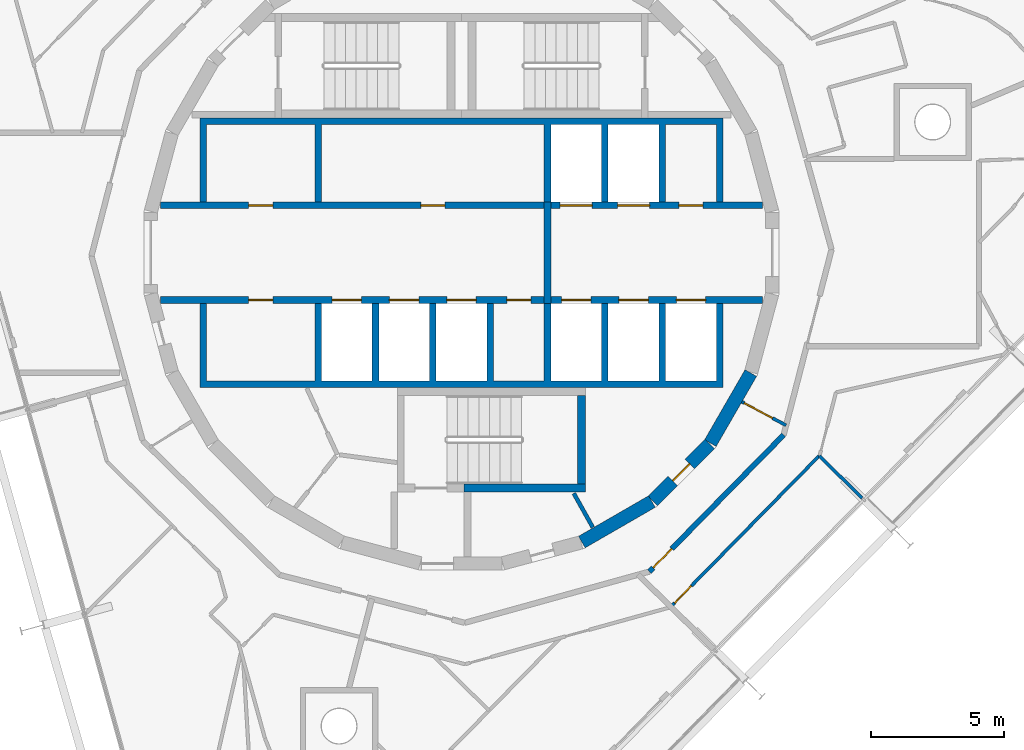
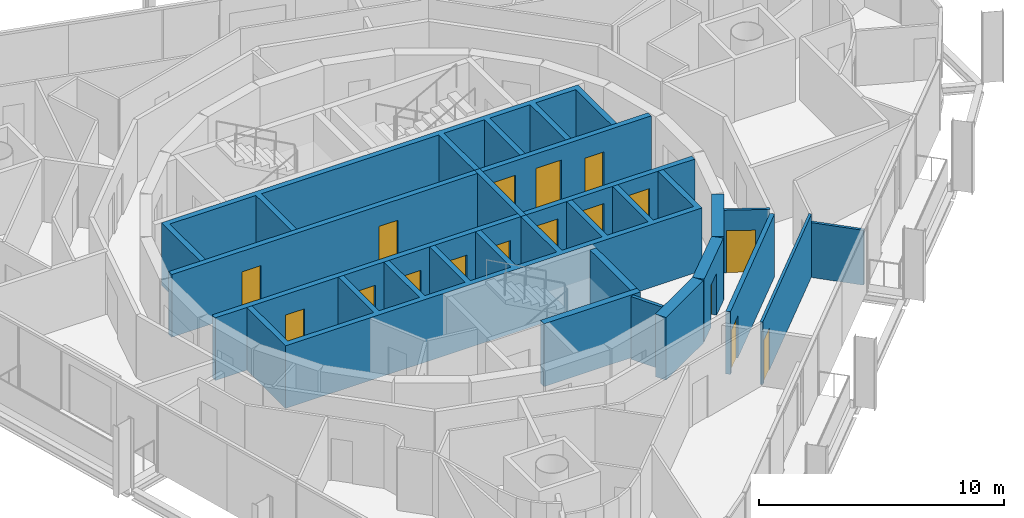
# One storey, part 11 of 15: 17 doors, 17 walls, 17 openings.
"""IFC4 building model written with IfcOpenShell, lengths in metres."""

from ifc_helpers import new_model, si_unit, direction, frame, frame_2d, origin, place, context, subcontext, project, spatial, polyline, rectangle, outline, extrude, material, layer, layer_set, type_object, element, fill, save


model = new_model("IFC4")

# Units and contexts
model_context = context("Model", 3, precision=1e-05, world=origin(), true_north=direction((0.0, 1.0)))
body_context = subcontext(model_context, "Body", "Model", "MODEL_VIEW")
ifc_project = project(units=[si_unit("LENGTHUNIT", "METRE"), si_unit("AREAUNIT", "SQUARE_METRE"), si_unit("VOLUMEUNIT", "CUBIC_METRE"), si_unit("PLANEANGLEUNIT", "RADIAN"), si_unit("MASSUNIT", "GRAM", prefix="KILO")], contexts=[model_context])

# Site, building, storey
site_placement = place(None, origin())
site = spatial("IfcSite", under=ifc_project, at=site_placement, CompositionType="ELEMENT")
building_placement = place(site_placement, origin())
building = spatial("IfcBuilding", under=site, at=building_placement, Name="Spindle Arch Residences", CompositionType="ELEMENT")
storey_placement = place(building_placement, frame((0.0, 0.0, 319.199951171875)))
storey = spatial("IfcBuildingStorey", under=building, at=storey_placement, Name="L82", CompositionType="ELEMENT", Elevation=319.199951171875)

# Wall
ifc_material_1 = material(Name="Concrete C50/60", Category="concrete")
ifc_layer_1 = layer(ifc_material_1, 0.5)
ifc_layer_set_1 = layer_set([ifc_layer_1], Name="Core outline wall 500")
wall_type_1 = type_object("IfcWallType", Name="Core outline wall 500", PredefinedType="SHEAR", material=ifc_layer_set_1)
wall_1_placement = place(storey_placement, frame((4.510498046875, -10.84521484375, 0.0), z_axis=(0.0, 0.0, 1.0), x_axis=(0.865975092491, 0.500087131594, 0.0)))
element("IfcWall", 1, at=wall_1_placement, inside=storey, type_object=wall_type_1, Name="Core outline wall 2", PredefinedType="SHEAR", context=body_context, shape_type="SweptSolid", body=[
    extrude(rectangle(XDim=3.03271484375, YDim=0.5, at=frame_2d((1.516357421875, 0.0))), origin(), (0.0, 0.0, 1.0), 3.1201171875),
])

# Wall, opening, door
wall_2_placement = place(storey_placement, frame((7.163818359375, -9.30810546875, 0.0), z_axis=(0.0, 0.0, 1.0), x_axis=(0.707106781187, 0.707106781187, 0.0)))
wall_2 = element("IfcWall", 2, at=wall_2_placement, inside=storey, type_object=wall_type_1, Name="Core outline wall 3", PredefinedType="SHEAR", context=body_context, shape_type="SweptSolid", body=[
    extrude(rectangle(XDim=3.032470703125, YDim=0.5, at=frame_2d((1.51611328125, 0.0))), origin(), (0.0, 0.0, 1.0), 3.1201171875),
])
opening_1_placement = place(wall_2_placement, frame((1.06640625, 0.0, 0.0)))
opening_1 = element("IfcOpeningElement", 3, at=opening_1_placement, cuts=wall_2, Name="Opening R8C0-WD08", PredefinedType="OPENING", context=body_context, shape_type="SweptSolid", body=[
    extrude(rectangle(XDim=0.89990234375, YDim=2.10009765625, at=frame_2d((0.449951171875, 1.050048828125))), frame((0.0, 0.260009765625, 0.0), z_axis=(0.0, -1.0, 0.0), x_axis=(1.0, 0.0, 0.0)), (0.0, 0.0, 1.0), 0.52001953125),
])
ifc_material_2 = material(Name="Steel, fire-resisting door", Category="steel")
door_type_1 = type_object("IfcDoorType", Name="Service room door 900x2100", OperationType="SINGLE_SWING_LEFT", PredefinedType="DOOR", material=ifc_material_2)
door_1_placement = place(opening_1_placement, origin())
door_1 = element("IfcDoor", 4, at=door_1_placement, inside=storey, type_object=door_type_1, Name="Service room door R8C0-WD08", OperationType="SINGLE_SWING_RIGHT", OverallHeight=2.10009765625, OverallWidth=0.89990234375, PredefinedType="DOOR", context=body_context, shape_type="SweptSolid", body=[
    extrude(rectangle(XDim=0.89990234375, YDim=2.10009765625, at=frame_2d((0.449951171875, 1.050048828125))), frame((0.0, 0.02490234375, 0.0), z_axis=(0.0, -1.0, 0.0), x_axis=(1.0, 0.0, 0.0)), (0.0, 0.0, 1.0), 0.050048828125),
])
fill(opening_1, door_1)

# Wall
wall_3_placement = place(storey_placement, frame((9.32861328125, -7.13671875, 0.0), z_axis=(0.0, 0.0, 1.0), x_axis=(0.500087131594, 0.865975092491, 0.0)))
element("IfcWall", 5, at=wall_3_placement, inside=storey, type_object=wall_type_1, Name="Core outline wall 4", PredefinedType="SHEAR", context=body_context, shape_type="SweptSolid", body=[
    extrude(rectangle(XDim=3.03271484375, YDim=0.5, at=frame_2d((1.516357421875, 0.0))), origin(), (0.0, 0.0, 1.0), 3.1201171875),
])

# Wall, opening, door
ifc_material_3 = material(Name="Plasterboard on steel studs", Category="steel")
ifc_layer_2 = layer(ifc_material_3, 0.1201171875)
ifc_layer_set_2 = layer_set([ifc_layer_2], Name="Corridor division wall 120")
wall_type_2 = type_object("IfcWallType", Name="Corridor division wall 120", PredefinedType="PARTITIONING", material=ifc_layer_set_2)
wall_4_placement = place(storey_placement, frame((10.510986328125, -5.5888671875, 0.0), z_axis=(0.0, 0.0, 1.0), x_axis=(0.882957311919, -0.469453283437, 0.0)))
wall_4 = element("IfcWall", 6, at=wall_4_placement, inside=storey, type_object=wall_type_2, Name="Corridor division wall R8C0-W002", PredefinedType="PARTITIONING", context=body_context, shape_type="SweptSolid", body=[
    extrude(rectangle(XDim=1.87646484375, YDim=0.1201171875, at=frame_2d((0.938232421875, 0.0))), origin(), (0.0, 0.0, 1.0), 3.1201171875),
])
opening_2_placement = place(wall_4_placement, frame((0.10009765625, 0.0, 0.0)))
opening_2 = element("IfcOpeningElement", 7, at=opening_2_placement, cuts=wall_4, Name="Opening R8C0-CD02", PredefinedType="OPENING", context=body_context, shape_type="SweptSolid", body=[
    extrude(rectangle(XDim=1.199951171875, YDim=2.10009765625, at=frame_2d((0.60009765625, 1.050048828125))), frame((0.0, 0.070068359375, 0.0), z_axis=(0.0, -1.0, 0.0), x_axis=(1.0, 0.0, 0.0)), (0.0, 0.0, 1.0), 0.14013671875),
])
ifc_material_4 = material(Name="Steel, fire-resisting door", Category="steel")
door_type_2 = type_object("IfcDoorType", Name="Corridor division door 1200x2100", OperationType="NOTDEFINED", PredefinedType="DOOR", material=ifc_material_4)
door_2_placement = place(opening_2_placement, origin())
door_2 = element("IfcDoor", 8, at=door_2_placement, inside=storey, type_object=door_type_2, Name="Corridor division door R8C0-CD02", OperationType="DOUBLE_DOOR_SINGLE_SWING", OverallHeight=2.10009765625, OverallWidth=1.199951171875, PredefinedType="DOOR", context=body_context, shape_type="SweptSolid", body=[
    extrude(rectangle(XDim=1.199951171875, YDim=2.10009765625, at=frame_2d((0.60009765625, 1.050048828125))), frame((0.0, 0.02490234375, 0.0), z_axis=(0.0, -1.0, 0.0), x_axis=(1.0, 0.0, 0.0)), (0.0, 0.0, 1.0), 0.050048828125),
])
fill(opening_2, door_2)

ifc_material_5 = material(Name="Calcium silicate block, plastered")
ifc_layer_3 = layer(ifc_material_5, 0.199951171875)
ifc_layer_set_3 = layer_set([ifc_layer_3], Name="Corridor wall 200")
wall_type_3 = type_object("IfcWallType", Name="Corridor wall 200", PredefinedType="STANDARD", material=ifc_layer_set_3)
wall_5_placement = place(storey_placement, frame((7.041015625, -11.953125, 0.0), z_axis=(0.0, 0.0, 1.0), x_axis=(0.70090916255, 0.713250549143, 0.0)))
wall_5 = element("IfcWall", 9, at=wall_5_placement, inside=storey, type_object=wall_type_3, Name="Corridor wall R8C0-W016", PredefinedType="STANDARD", context=body_context, shape_type="SweptSolid", body=[
    extrude(rectangle(XDim=7.180908203125, YDim=0.199951171875, at=frame_2d((3.59033203125, 0.0))), origin(), (0.0, 0.0, 1.0), 3.1201171875),
])
opening_3_placement = place(wall_5_placement, frame((0.199951171875, 0.0, 0.0)))
opening_3 = element("IfcOpeningElement", 10, at=opening_3_placement, cuts=wall_5, Name="Opening R8C0-FD06", PredefinedType="OPENING", context=body_context, shape_type="SweptSolid", body=[
    extrude(rectangle(XDim=1.0, YDim=2.10009765625, at=frame_2d((0.5, 1.050048828125))), frame((0.0, 0.10986328125, 0.0), z_axis=(0.0, -1.0, 0.0), x_axis=(1.0, 0.0, 0.0)), (0.0, 0.0, 1.0), 0.219970703125),
])
ifc_material_6 = material(Name="Timber, fire-resisting door set", Category="wood")
door_type_3 = type_object("IfcDoorType", Name="Flat entrance door 1000x2100", OperationType="NOTDEFINED", PredefinedType="DOOR", material=ifc_material_6)
door_3_placement = place(opening_3_placement, origin())
door_3 = element("IfcDoor", 11, at=door_3_placement, inside=storey, type_object=door_type_3, Name="Flat entrance door R8C0-FD06", OperationType="SINGLE_SWING_LEFT", OverallHeight=2.10009765625, OverallWidth=1.0, PredefinedType="DOOR", context=body_context, shape_type="SweptSolid", body=[
    extrude(rectangle(XDim=1.0, YDim=2.10009765625, at=frame_2d((0.5, 1.050048828125))), frame((0.0, 0.02490234375, 0.0), z_axis=(0.0, -1.0, 0.0), x_axis=(1.0, 0.0, 0.0)), (0.0, 0.0, 1.0), 0.050048828125),
])
fill(opening_3, door_3)

# Wall, openings, doors
ifc_material_7 = material(Name="Concrete C40/50", Category="concrete")
ifc_layer_4 = layer(ifc_material_7, 0.25)
ifc_layer_set_4 = layer_set([ifc_layer_4], Name="Fire-lift lobby wall 250")
wall_type_4 = type_object("IfcWallType", Name="Fire-lift lobby wall 250", PredefinedType="SHEAR", material=ifc_layer_set_4)
wall_6_placement = place(storey_placement, frame((3.35009765625, 1.77490234375, 0.0), z_axis=(0.0, 0.0, 1.0), x_axis=(1.0, 0.0, 0.0)))
wall_6 = element("IfcWall", 12, at=wall_6_placement, inside=storey, type_object=wall_type_4, Name="Lift shaft front wall NE", PredefinedType="SHEAR", context=body_context, shape_type="SweptSolid", body=[
    extrude(rectangle(XDim=7.929931640625, YDim=0.25, at=frame_2d((3.96484375, 0.0))), origin(), (0.0, 0.0, 1.0), 3.1201171875),
])
opening_4_placement = place(wall_6_placement, frame((0.35009765625, 0.0, 0.0)))
opening_4 = element("IfcOpeningElement", 13, at=opening_4_placement, cuts=wall_6, Name="Opening R8C0-SLD01", PredefinedType="OPENING", context=body_context, shape_type="SweptSolid", body=[
    extrude(rectangle(XDim=1.199951171875, YDim=2.39990234375, at=frame_2d((0.60009765625, 1.199951171875))), frame((0.0, 0.135009765625, 0.0), z_axis=(0.0, -1.0, 0.0), x_axis=(1.0, 0.0, 0.0)), (0.0, 0.0, 1.0), 0.27001953125),
])
opening_5_placement = place(wall_6_placement, frame((2.5, 0.0, 0.0)))
opening_5 = element("IfcOpeningElement", 14, at=opening_5_placement, cuts=wall_6, Name="Opening R8C0-SLD02", PredefinedType="OPENING", context=body_context, shape_type="SweptSolid", body=[
    extrude(rectangle(XDim=1.199951171875, YDim=2.39990234375, at=frame_2d((0.60009765625, 1.199951171875))), frame((0.0, 0.135009765625, 0.0), z_axis=(0.0, -1.0, 0.0), x_axis=(1.0, 0.0, 0.0)), (0.0, 0.0, 1.0), 0.27001953125),
])
opening_6_placement = place(wall_6_placement, frame((4.800048828125, 0.0, 0.0)))
opening_6 = element("IfcOpeningElement", 15, at=opening_6_placement, cuts=wall_6, Name="Opening R8C0-WD03", PredefinedType="OPENING", context=body_context, shape_type="SweptSolid", body=[
    extrude(rectangle(XDim=0.89990234375, YDim=2.10009765625, at=frame_2d((0.449951171875, 1.050048828125))), frame((0.0, 0.135009765625, 0.0), z_axis=(0.0, -1.0, 0.0), x_axis=(1.0, 0.0, 0.0)), (0.0, 0.0, 1.0), 0.27001953125),
])
ifc_material_8 = material(Name="Steel, fire-resisting landing door", Category="steel")
door_type_4 = type_object("IfcDoorType", Name="Service lift landing door 1200x2400", OperationType="DOUBLE_DOOR_SLIDING", PredefinedType="DOOR", material=ifc_material_8)
door_4_placement = place(opening_4_placement, origin())
door_4 = element("IfcDoor", 16, at=door_4_placement, inside=storey, type_object=door_type_4, Name="Service lift landing door R8C0-SLD01", OperationType="DOUBLE_DOOR_SLIDING", OverallHeight=2.39990234375, OverallWidth=1.199951171875, PredefinedType="DOOR", context=body_context, shape_type="SweptSolid", body=[
    extrude(rectangle(XDim=1.199951171875, YDim=2.39990234375, at=frame_2d((0.60009765625, 1.199951171875))), frame((0.0, 0.02490234375, 0.0), z_axis=(0.0, -1.0, 0.0), x_axis=(1.0, 0.0, 0.0)), (0.0, 0.0, 1.0), 0.050048828125),
])
fill(opening_4, door_4)
door_5_placement = place(opening_5_placement, origin())
door_5 = element("IfcDoor", 17, at=door_5_placement, inside=storey, type_object=door_type_4, Name="Service lift landing door R8C0-SLD02", OperationType="DOUBLE_DOOR_SLIDING", OverallHeight=2.39990234375, OverallWidth=1.199951171875, PredefinedType="DOOR", context=body_context, shape_type="SweptSolid", body=[
    extrude(rectangle(XDim=1.199951171875, YDim=2.39990234375, at=frame_2d((0.60009765625, 1.199951171875))), frame((0.0, 0.02490234375, 0.0), z_axis=(0.0, -1.0, 0.0), x_axis=(1.0, 0.0, 0.0)), (0.0, 0.0, 1.0), 0.050048828125),
])
fill(opening_5, door_5)
door_6_placement = place(opening_6_placement, origin())
door_6 = element("IfcDoor", 18, at=door_6_placement, inside=storey, type_object=door_type_1, Name="Service room door R8C0-WD03", OperationType="SINGLE_SWING_LEFT", OverallHeight=2.10009765625, OverallWidth=0.89990234375, PredefinedType="DOOR", context=body_context, shape_type="SweptSolid", body=[
    extrude(rectangle(XDim=0.89990234375, YDim=2.10009765625, at=frame_2d((0.449951171875, 1.050048828125))), frame((0.0, 0.02490234375, 0.0), z_axis=(0.0, -1.0, 0.0), x_axis=(1.0, 0.0, 0.0)), (0.0, 0.0, 1.0), 0.050048828125),
])
fill(opening_6, door_6)

# Wall
wall_7_placement = place(storey_placement, frame((3.22509765625, -1.89990234375, 0.0), z_axis=(0.0, 0.0, 1.0), x_axis=(0.0, 1.0, 0.0)))
element("IfcWall", 19, at=wall_7_placement, inside=storey, type_object=wall_type_4, Name="Fire-fighting lobby partition", PredefinedType="SHEAR", context=body_context, shape_type="SweptSolid", body=[
    extrude(rectangle(XDim=3.7998046875, YDim=0.25, at=frame_2d((1.89990234375, 0.0))), origin(), (0.0, 0.0, 1.0), 3.1201171875),
])

# Wall, openings, doors
ifc_material_9 = material(Name="Concrete C50/60", Category="concrete")
ifc_layer_5 = layer(ifc_material_9, 0.25)
ifc_layer_set_5 = layer_set([ifc_layer_5], Name="Fire-lift shaft wall 250")
wall_type_5 = type_object("IfcWallType", Name="Fire-lift shaft wall 250", PredefinedType="SHEAR", material=ifc_layer_set_5)
wall_8_placement = place(storey_placement, frame((3.35009765625, -1.77490234375, 0.0), z_axis=(0.0, 0.0, 1.0), x_axis=(1.0, 0.0, 0.0)))
wall_8 = element("IfcWall", 20, at=wall_8_placement, inside=storey, type_object=wall_type_5, Name="Lift shaft front wall SE", PredefinedType="SHEAR", context=body_context, shape_type="SweptSolid", body=[
    extrude(rectangle(XDim=7.929931640625, YDim=0.25, at=frame_2d((3.96484375, 0.0))), origin(), (0.0, 0.0, 1.0), 3.1201171875),
])
opening_7_placement = place(wall_8_placement, frame((0.39990234375, 0.0, 0.0)))
opening_7 = element("IfcOpeningElement", 21, at=opening_7_placement, cuts=wall_8, Name="Opening R8C0-FLD01", PredefinedType="OPENING", context=body_context, shape_type="SweptSolid", body=[
    extrude(rectangle(XDim=1.10009765625, YDim=2.39990234375, at=frame_2d((0.550048828125, 1.199951171875))), frame((0.0, 0.135009765625, 0.0), z_axis=(0.0, -1.0, 0.0), x_axis=(1.0, 0.0, 0.0)), (0.0, 0.0, 1.0), 0.27001953125),
])
opening_8_placement = place(wall_8_placement, frame((2.550048828125, 0.0, 0.0)))
opening_8 = element("IfcOpeningElement", 22, at=opening_8_placement, cuts=wall_8, Name="Opening R8C0-FLD02", PredefinedType="OPENING", context=body_context, shape_type="SweptSolid", body=[
    extrude(rectangle(XDim=1.10009765625, YDim=2.39990234375, at=frame_2d((0.550048828125, 1.199951171875))), frame((0.0, 0.135009765625, 0.0), z_axis=(0.0, -1.0, 0.0), x_axis=(1.0, 0.0, 0.0)), (0.0, 0.0, 1.0), 0.27001953125),
])
opening_9_placement = place(wall_8_placement, frame((4.699951171875, 0.0, 0.0)))
opening_9 = element("IfcOpeningElement", 23, at=opening_9_placement, cuts=wall_8, Name="Opening R8C0-FLD03", PredefinedType="OPENING", context=body_context, shape_type="SweptSolid", body=[
    extrude(rectangle(XDim=1.10009765625, YDim=2.39990234375, at=frame_2d((0.550048828125, 1.199951171875))), frame((0.0, 0.135009765625, 0.0), z_axis=(0.0, -1.0, 0.0), x_axis=(1.0, 0.0, 0.0)), (0.0, 0.0, 1.0), 0.27001953125),
])
ifc_material_10 = material(Name="Steel, fire-resisting landing door", Category="steel")
door_type_5 = type_object("IfcDoorType", Name="Fire-fighting lift landing door 1100x2400", OperationType="DOUBLE_DOOR_SLIDING", PredefinedType="DOOR", material=ifc_material_10)
door_7_placement = place(opening_7_placement, origin())
door_7 = element("IfcDoor", 24, at=door_7_placement, inside=storey, type_object=door_type_5, Name="Fire-fighting lift landing door R8C0-FLD01", OperationType="DOUBLE_DOOR_SLIDING", OverallHeight=2.39990234375, OverallWidth=1.10009765625, PredefinedType="DOOR", context=body_context, shape_type="SweptSolid", body=[
    extrude(rectangle(XDim=1.10009765625, YDim=2.39990234375, at=frame_2d((0.550048828125, 1.199951171875))), frame((0.0, 0.02490234375, 0.0), z_axis=(0.0, -1.0, 0.0), x_axis=(1.0, 0.0, 0.0)), (0.0, 0.0, 1.0), 0.050048828125),
])
fill(opening_7, door_7)
door_8_placement = place(opening_8_placement, origin())
door_8 = element("IfcDoor", 25, at=door_8_placement, inside=storey, type_object=door_type_5, Name="Fire-fighting lift landing door R8C0-FLD02", OperationType="DOUBLE_DOOR_SLIDING", OverallHeight=2.39990234375, OverallWidth=1.10009765625, PredefinedType="DOOR", context=body_context, shape_type="SweptSolid", body=[
    extrude(rectangle(XDim=1.10009765625, YDim=2.39990234375, at=frame_2d((0.550048828125, 1.199951171875))), frame((0.0, 0.02490234375, 0.0), z_axis=(0.0, -1.0, 0.0), x_axis=(1.0, 0.0, 0.0)), (0.0, 0.0, 1.0), 0.050048828125),
])
fill(opening_8, door_8)
door_9_placement = place(opening_9_placement, origin())
door_9 = element("IfcDoor", 26, at=door_9_placement, inside=storey, type_object=door_type_5, Name="Fire-fighting lift landing door R8C0-FLD03", OperationType="DOUBLE_DOOR_SLIDING", OverallHeight=2.39990234375, OverallWidth=1.10009765625, PredefinedType="DOOR", context=body_context, shape_type="SweptSolid", body=[
    extrude(rectangle(XDim=1.10009765625, YDim=2.39990234375, at=frame_2d((0.550048828125, 1.199951171875))), frame((0.0, 0.02490234375, 0.0), z_axis=(0.0, -1.0, 0.0), x_axis=(1.0, 0.0, 0.0)), (0.0, 0.0, 1.0), 0.050048828125),
])
fill(opening_9, door_9)

# Wall, opening, door
ifc_material_11 = material(Name="Plasterboard on steel studs", Category="steel")
ifc_layer_6 = layer(ifc_material_11, 0.1201171875)
ifc_layer_set_6 = layer_set([ifc_layer_6], Name="Flat partition 120")
wall_type_6 = type_object("IfcWallType", Name="Flat partition 120", PredefinedType="PARTITIONING", material=ifc_layer_set_6)
wall_9_placement = place(storey_placement, frame((7.846435546875, -13.2734375, 0.0), z_axis=(0.0, 0.0, 1.0), x_axis=(0.700911018066, 0.713248725728, 0.0)))
wall_9 = element("IfcWall", 27, at=wall_9_placement, inside=storey, type_object=wall_type_6, Name="Flat partition R8C0-W093", PredefinedType="PARTITIONING", context=body_context, shape_type="SweptSolid", body=[
    extrude(rectangle(XDim=7.93505859375, YDim=0.1201171875, at=frame_2d((3.967529296875, 0.0))), origin(), (0.0, 0.0, 1.0), 3.1201171875),
])
opening_10_placement = place(wall_9_placement, frame((0.199951171875, 0.0, 0.0)))
opening_10 = element("IfcOpeningElement", 28, at=opening_10_placement, cuts=wall_9, Name="Opening R8C0-ID22", PredefinedType="OPENING", context=body_context, shape_type="SweptSolid", body=[
    extrude(rectangle(XDim=0.89990234375, YDim=2.10009765625, at=frame_2d((0.449951171875, 1.050048828125))), frame((0.0, 0.070068359375, 0.0), z_axis=(0.0, -1.0, 0.0), x_axis=(1.0, 0.0, 0.0)), (0.0, 0.0, 1.0), 0.14013671875),
])
ifc_material_12 = material(Name="Timber door set", Category="wood")
door_type_6 = type_object("IfcDoorType", Name="Room door 900x2100", OperationType="NOTDEFINED", PredefinedType="DOOR", material=ifc_material_12)
door_10_placement = place(opening_10_placement, origin())
door_10 = element("IfcDoor", 29, at=door_10_placement, inside=storey, type_object=door_type_6, Name="Room door R8C0-ID22", OperationType="SINGLE_SWING_LEFT", OverallHeight=2.10009765625, OverallWidth=0.89990234375, PredefinedType="DOOR", context=body_context, shape_type="SweptSolid", body=[
    extrude(rectangle(XDim=0.89990234375, YDim=2.10009765625, at=frame_2d((0.449951171875, 1.050048828125))), frame((0.0, 0.02490234375, 0.0), z_axis=(0.0, -1.0, 0.0), x_axis=(1.0, 0.0, 0.0)), (0.0, 0.0, 1.0), 0.050048828125),
])
fill(opening_10, door_10)

# Wall
ifc_material_13 = material(Name="Plasterboard on steel studs", Category="steel")
ifc_layer_7 = layer(ifc_material_13, 0.1201171875)
ifc_layer_set_7 = layer_set([ifc_layer_7], Name="Flat partition 120 under beam 2730")
wall_type_7 = type_object("IfcWallType", Name="Flat partition 120 under beam 2730", PredefinedType="PARTITIONING", material=ifc_layer_set_7)
wall_10_placement = place(storey_placement, frame((15.023681640625, -9.200927734375, 0.0), z_axis=(0.0, 0.0, 1.0), x_axis=(-0.713331704042, 0.700826569137, 0.0)))
element("IfcWall", 30, at=wall_10_placement, inside=storey, type_object=wall_type_7, Name="Flat partition R8C0-W105", PredefinedType="PARTITIONING", context=body_context, shape_type="SweptSolid", body=[
    extrude(rectangle(XDim=2.2646484375, YDim=0.1201171875, at=frame_2d((1.13232421875, 0.0))), origin(), (0.0, 0.0, 1.0), 2.72998046875),
])

# Wall, openings, doors
ifc_material_14 = material(Name="Concrete C50/60", Category="concrete")
ifc_layer_8 = layer(ifc_material_14, 0.25)
ifc_layer_set_8 = layer_set([ifc_layer_8], Name="Lift shaft wall 250")
wall_type_8 = type_object("IfcWallType", Name="Lift shaft wall 250", PredefinedType="SHEAR", material=ifc_layer_set_8)
wall_11_placement = place(storey_placement, frame((-11.280029296875, 1.77490234375, 0.0), z_axis=(0.0, 0.0, 1.0), x_axis=(1.0, 0.0, 0.0)))
wall_11 = element("IfcWall", 31, at=wall_11_placement, inside=storey, type_object=wall_type_8, Name="Lift shaft front wall NW", PredefinedType="SHEAR", context=body_context, shape_type="SweptSolid", body=[
    extrude(rectangle(XDim=14.380126953125, YDim=0.25, at=frame_2d((7.18994140625, 0.0))), origin(), (0.0, 0.0, 1.0), 3.1201171875),
])
opening_11_placement = place(wall_11_placement, frame((3.304931640625, 0.0, 0.0)))
opening_11 = element("IfcOpeningElement", 32, at=opening_11_placement, cuts=wall_11, Name="Opening R8C0-WD01", PredefinedType="OPENING", context=body_context, shape_type="SweptSolid", body=[
    extrude(rectangle(XDim=0.89990234375, YDim=2.10009765625, at=frame_2d((0.449951171875, 1.050048828125))), frame((0.0, 0.135009765625, 0.0), z_axis=(0.0, -1.0, 0.0), x_axis=(1.0, 0.0, 0.0)), (0.0, 0.0, 1.0), 0.27001953125),
])
opening_12_placement = place(wall_11_placement, frame((9.7548828125, 0.0, 0.0)))
opening_12 = element("IfcOpeningElement", 33, at=opening_12_placement, cuts=wall_11, Name="Opening R8C0-WD02", PredefinedType="OPENING", context=body_context, shape_type="SweptSolid", body=[
    extrude(rectangle(XDim=0.89990234375, YDim=2.10009765625, at=frame_2d((0.449951171875, 1.050048828125))), frame((0.0, 0.135009765625, 0.0), z_axis=(0.0, -1.0, 0.0), x_axis=(1.0, 0.0, 0.0)), (0.0, 0.0, 1.0), 0.27001953125),
])
door_11_placement = place(opening_11_placement, origin())
door_11 = element("IfcDoor", 34, at=door_11_placement, inside=storey, type_object=door_type_1, Name="Service room door R8C0-WD01", OperationType="SINGLE_SWING_LEFT", OverallHeight=2.10009765625, OverallWidth=0.89990234375, PredefinedType="DOOR", context=body_context, shape_type="SweptSolid", body=[
    extrude(rectangle(XDim=0.89990234375, YDim=2.10009765625, at=frame_2d((0.449951171875, 1.050048828125))), frame((0.0, 0.02490234375, 0.0), z_axis=(0.0, -1.0, 0.0), x_axis=(1.0, 0.0, 0.0)), (0.0, 0.0, 1.0), 0.050048828125),
])
fill(opening_11, door_11)
door_12_placement = place(opening_12_placement, origin())
door_12 = element("IfcDoor", 35, at=door_12_placement, inside=storey, type_object=door_type_1, Name="Service room door R8C0-WD02", OperationType="SINGLE_SWING_RIGHT", OverallHeight=2.10009765625, OverallWidth=0.89990234375, PredefinedType="DOOR", context=body_context, shape_type="SweptSolid", body=[
    extrude(rectangle(XDim=0.89990234375, YDim=2.10009765625, at=frame_2d((0.449951171875, 1.050048828125))), frame((0.0, 0.02490234375, 0.0), z_axis=(0.0, -1.0, 0.0), x_axis=(1.0, 0.0, 0.0)), (0.0, 0.0, 1.0), 0.050048828125),
])
fill(opening_12, door_12)

wall_12_placement = place(storey_placement, frame((-11.280029296875, -1.77490234375, 0.0), z_axis=(0.0, 0.0, 1.0), x_axis=(1.0, 0.0, 0.0)))
wall_12 = element("IfcWall", 36, at=wall_12_placement, inside=storey, type_object=wall_type_8, Name="Lift shaft front wall SW", PredefinedType="SHEAR", context=body_context, shape_type="SweptSolid", body=[
    extrude(rectangle(XDim=14.380126953125, YDim=0.25, at=frame_2d((7.18994140625, 0.0))), origin(), (0.0, 0.0, 1.0), 3.1201171875),
])
opening_13_placement = place(wall_12_placement, frame((6.429931640625, 0.0, 0.0)))
opening_13 = element("IfcOpeningElement", 37, at=opening_13_placement, cuts=wall_12, Name="Opening R8C0-LD01", PredefinedType="OPENING", context=body_context, shape_type="SweptSolid", body=[
    extrude(rectangle(XDim=1.10009765625, YDim=2.10009765625, at=frame_2d((0.550048828125, 1.050048828125))), frame((0.0, 0.135009765625, 0.0), z_axis=(0.0, -1.0, 0.0), x_axis=(1.0, 0.0, 0.0)), (0.0, 0.0, 1.0), 0.27001953125),
])
opening_14_placement = place(wall_12_placement, frame((8.580078125, 0.0, 0.0)))
opening_14 = element("IfcOpeningElement", 38, at=opening_14_placement, cuts=wall_12, Name="Opening R8C0-LD02", PredefinedType="OPENING", context=body_context, shape_type="SweptSolid", body=[
    extrude(rectangle(XDim=1.10009765625, YDim=2.10009765625, at=frame_2d((0.550048828125, 1.050048828125))), frame((0.0, 0.135009765625, 0.0), z_axis=(0.0, -1.0, 0.0), x_axis=(1.0, 0.0, 0.0)), (0.0, 0.0, 1.0), 0.27001953125),
])
opening_15_placement = place(wall_12_placement, frame((10.72998046875, 0.0, 0.0)))
opening_15 = element("IfcOpeningElement", 39, at=opening_15_placement, cuts=wall_12, Name="Opening R8C0-LD03", PredefinedType="OPENING", context=body_context, shape_type="SweptSolid", body=[
    extrude(rectangle(XDim=1.10009765625, YDim=2.10009765625, at=frame_2d((0.550048828125, 1.050048828125))), frame((0.0, 0.135009765625, 0.0), z_axis=(0.0, -1.0, 0.0), x_axis=(1.0, 0.0, 0.0)), (0.0, 0.0, 1.0), 0.27001953125),
])
opening_16_placement = place(wall_12_placement, frame((3.304931640625, 0.0, 0.0)))
opening_16 = element("IfcOpeningElement", 40, at=opening_16_placement, cuts=wall_12, Name="Opening R8C0-WD04", PredefinedType="OPENING", context=body_context, shape_type="SweptSolid", body=[
    extrude(rectangle(XDim=0.89990234375, YDim=2.10009765625, at=frame_2d((0.449951171875, 1.050048828125))), frame((0.0, 0.135009765625, 0.0), z_axis=(0.0, -1.0, 0.0), x_axis=(1.0, 0.0, 0.0)), (0.0, 0.0, 1.0), 0.27001953125),
])
opening_17_placement = place(wall_12_placement, frame((12.97998046875, 0.0, 0.0)))
opening_17 = element("IfcOpeningElement", 41, at=opening_17_placement, cuts=wall_12, Name="Opening R8C0-WD05", PredefinedType="OPENING", context=body_context, shape_type="SweptSolid", body=[
    extrude(rectangle(XDim=0.89990234375, YDim=2.10009765625, at=frame_2d((0.449951171875, 1.050048828125))), frame((0.0, 0.135009765625, 0.0), z_axis=(0.0, -1.0, 0.0), x_axis=(1.0, 0.0, 0.0)), (0.0, 0.0, 1.0), 0.27001953125),
])
ifc_material_15 = material(Name="Steel, fire-resisting landing door", Category="steel")
door_type_7 = type_object("IfcDoorType", Name="Lift landing door 1100x2100", OperationType="DOUBLE_DOOR_SLIDING", PredefinedType="DOOR", material=ifc_material_15)
door_13_placement = place(opening_13_placement, origin())
door_13 = element("IfcDoor", 42, at=door_13_placement, inside=storey, type_object=door_type_7, Name="Lift landing door R8C0-LD01", OperationType="DOUBLE_DOOR_SLIDING", OverallHeight=2.10009765625, OverallWidth=1.10009765625, PredefinedType="DOOR", context=body_context, shape_type="SweptSolid", body=[
    extrude(rectangle(XDim=1.10009765625, YDim=2.10009765625, at=frame_2d((0.550048828125, 1.050048828125))), frame((0.0, 0.02490234375, 0.0), z_axis=(0.0, -1.0, 0.0), x_axis=(1.0, 0.0, 0.0)), (0.0, 0.0, 1.0), 0.050048828125),
])
fill(opening_13, door_13)
door_14_placement = place(opening_14_placement, origin())
door_14 = element("IfcDoor", 43, at=door_14_placement, inside=storey, type_object=door_type_7, Name="Lift landing door R8C0-LD02", OperationType="DOUBLE_DOOR_SLIDING", OverallHeight=2.10009765625, OverallWidth=1.10009765625, PredefinedType="DOOR", context=body_context, shape_type="SweptSolid", body=[
    extrude(rectangle(XDim=1.10009765625, YDim=2.10009765625, at=frame_2d((0.550048828125, 1.050048828125))), frame((0.0, 0.02490234375, 0.0), z_axis=(0.0, -1.0, 0.0), x_axis=(1.0, 0.0, 0.0)), (0.0, 0.0, 1.0), 0.050048828125),
])
fill(opening_14, door_14)
door_15_placement = place(opening_15_placement, origin())
door_15 = element("IfcDoor", 44, at=door_15_placement, inside=storey, type_object=door_type_7, Name="Lift landing door R8C0-LD03", OperationType="DOUBLE_DOOR_SLIDING", OverallHeight=2.10009765625, OverallWidth=1.10009765625, PredefinedType="DOOR", context=body_context, shape_type="SweptSolid", body=[
    extrude(rectangle(XDim=1.10009765625, YDim=2.10009765625, at=frame_2d((0.550048828125, 1.050048828125))), frame((0.0, 0.02490234375, 0.0), z_axis=(0.0, -1.0, 0.0), x_axis=(1.0, 0.0, 0.0)), (0.0, 0.0, 1.0), 0.050048828125),
])
fill(opening_15, door_15)
door_16_placement = place(opening_16_placement, origin())
door_16 = element("IfcDoor", 45, at=door_16_placement, inside=storey, type_object=door_type_1, Name="Service room door R8C0-WD04", OperationType="SINGLE_SWING_RIGHT", OverallHeight=2.10009765625, OverallWidth=0.89990234375, PredefinedType="DOOR", context=body_context, shape_type="SweptSolid", body=[
    extrude(rectangle(XDim=0.89990234375, YDim=2.10009765625, at=frame_2d((0.449951171875, 1.050048828125))), frame((0.0, 0.02490234375, 0.0), z_axis=(0.0, -1.0, 0.0), x_axis=(1.0, 0.0, 0.0)), (0.0, 0.0, 1.0), 0.050048828125),
])
fill(opening_16, door_16)
door_17_placement = place(opening_17_placement, origin())
door_17 = element("IfcDoor", 46, at=door_17_placement, inside=storey, type_object=door_type_1, Name="Service room door R8C0-WD05", OperationType="SINGLE_SWING_LEFT", OverallHeight=2.10009765625, OverallWidth=0.89990234375, PredefinedType="DOOR", context=body_context, shape_type="SweptSolid", body=[
    extrude(rectangle(XDim=0.89990234375, YDim=2.10009765625, at=frame_2d((0.449951171875, 1.050048828125))), frame((0.0, 0.02490234375, 0.0), z_axis=(0.0, -1.0, 0.0), x_axis=(1.0, 0.0, 0.0)), (0.0, 0.0, 1.0), 0.050048828125),
])
fill(opening_17, door_17)

# Walls
ifc_material_16 = material(Name="Concrete C50/60", Category="concrete")
wall_type_9 = type_object("IfcWallType", Name="Lift shaft wall profile", PredefinedType="SHEAR", material=ifc_material_16)
wall_13_placement = place(storey_placement, origin())
element("IfcWall", 47, at=wall_13_placement, inside=storey, type_object=wall_type_9, Name="Lift shaft walls N", PredefinedType="SHEAR", context=body_context, shape_type="SweptSolid", body=[
    extrude(outline(polyline([(-9.800048828125, 1.89990234375), (-9.550048828125, 1.89990234375), (-9.550048828125, 4.800048828125), (-5.5, 4.800048828125), (-5.5, 1.89990234375), (-5.25, 1.89990234375), (-5.25, 4.800048828125), (3.10009765625, 4.800048828125), (3.10009765625, 1.89990234375), (3.35009765625, 1.89990234375), (3.35009765625, 4.800048828125), (5.25, 4.800048828125), (5.25, 1.89990234375), (5.5, 1.89990234375), (5.5, 4.800048828125), (7.39990234375, 4.800048828125), (7.39990234375, 1.89990234375), (7.64990234375, 1.89990234375), (7.64990234375, 4.800048828125), (9.550048828125, 4.800048828125), (9.550048828125, 1.89990234375), (9.800048828125, 1.89990234375), (9.800048828125, 4.800048828125), (9.800048828125, 5.050048828125), (-9.800048828125, 5.050048828125), (-9.800048828125, 4.800048828125), (-9.800048828125, 1.89990234375)])), origin(), (0.0, 0.0, 1.0), 3.1201171875),
])
wall_14_placement = place(storey_placement, origin())
element("IfcWall", 48, at=wall_14_placement, inside=storey, type_object=wall_type_9, Name="Lift shaft walls S", PredefinedType="SHEAR", context=body_context, shape_type="SweptSolid", body=[
    extrude(outline(polyline([(9.800048828125, -5.050048828125), (9.800048828125, -4.800048828125), (9.800048828125, -1.89990234375), (9.550048828125, -1.89990234375), (9.550048828125, -4.800048828125), (7.64990234375, -4.800048828125), (7.64990234375, -1.89990234375), (7.39990234375, -1.89990234375), (7.39990234375, -4.800048828125), (5.5, -4.800048828125), (5.5, -1.89990234375), (5.25, -1.89990234375), (5.25, -4.800048828125), (3.35009765625, -4.800048828125), (3.35009765625, -1.89990234375), (3.10009765625, -1.89990234375), (3.10009765625, -4.800048828125), (1.199951171875, -4.800048828125), (1.199951171875, -1.89990234375), (0.949951171875, -1.89990234375), (0.949951171875, -4.800048828125), (-0.949951171875, -4.800048828125), (-0.949951171875, -1.89990234375), (-1.199951171875, -1.89990234375), (-1.199951171875, -4.800048828125), (-3.10009765625, -4.800048828125), (-3.10009765625, -1.89990234375), (-3.35009765625, -1.89990234375), (-3.35009765625, -4.800048828125), (-5.25, -4.800048828125), (-5.25, -1.89990234375), (-5.5, -1.89990234375), (-5.5, -4.800048828125), (-9.550048828125, -4.800048828125), (-9.550048828125, -1.89990234375), (-9.800048828125, -1.89990234375), (-9.800048828125, -4.800048828125), (-9.800048828125, -5.050048828125), (9.800048828125, -5.050048828125)])), origin(), (0.0, 0.0, 1.0), 3.1201171875),
])
ifc_material_17 = material(Name="Concrete C25/30", Category="concrete")
ifc_layer_9 = layer(ifc_material_17, 0.14990234375)
ifc_layer_set_9 = layer_set([ifc_layer_9], Name="Service room partition 150")
wall_type_10 = type_object("IfcWallType", Name="Service room partition 150", PredefinedType="PARTITIONING", material=ifc_layer_set_9)
wall_15_placement = place(storey_placement, frame((4.922119140625, -10.295654296875, 0.0), z_axis=(0.0, 0.0, 1.0), x_axis=(-0.48860846254, 0.872503163509, 0.0)))
element("IfcWall", 49, at=wall_15_placement, inside=storey, type_object=wall_type_10, Name="Core service room partition", PredefinedType="PARTITIONING", context=body_context, shape_type="SweptSolid", body=[
    extrude(rectangle(XDim=1.45947265625, YDim=0.14990234375, at=frame_2d((0.729736328125, 0.0))), origin(), (0.0, 0.0, 1.0), 3.1201171875),
])
ifc_material_18 = material(Name="Concrete C50/60", Category="concrete")
ifc_layer_10 = layer(ifc_material_18, 0.300048828125)
ifc_layer_set_10 = layer_set([ifc_layer_10], Name="Stair enclosure wall 300")
wall_type_11 = type_object("IfcWallType", Name="Stair enclosure wall 300", PredefinedType="SHEAR", material=ifc_layer_set_10)
wall_16_placement = place(storey_placement, frame((4.5, -8.669921875, 0.0), z_axis=(0.0, 0.0, 1.0), x_axis=(0.0, 1.0, 0.0)))
element("IfcWall", 50, at=wall_16_placement, inside=storey, type_object=wall_type_11, Name="Stair ST-3 enclosure wall E", PredefinedType="SHEAR", context=body_context, shape_type="SweptSolid", body=[
    extrude(rectangle(XDim=3.31982421875, YDim=0.300048828125, at=frame_2d((1.659912109375, 0.0))), origin(), (0.0, 0.0, 1.0), 3.1201171875),
])
wall_17_placement = place(storey_placement, frame((0.10009765625, -8.820068359375, 0.0), z_axis=(0.0, 0.0, 1.0), x_axis=(1.0, 0.0, 0.0)))
element("IfcWall", 51, at=wall_17_placement, inside=storey, type_object=wall_type_11, Name="Stair ST-3 enclosure wall S", PredefinedType="SHEAR", context=body_context, shape_type="SweptSolid", body=[
    extrude(rectangle(XDim=4.5498046875, YDim=0.300048828125, at=frame_2d((2.27490234375, 0.0))), origin(), (0.0, 0.0, 1.0), 3.1201171875),
])

save(model, "model.ifc")
